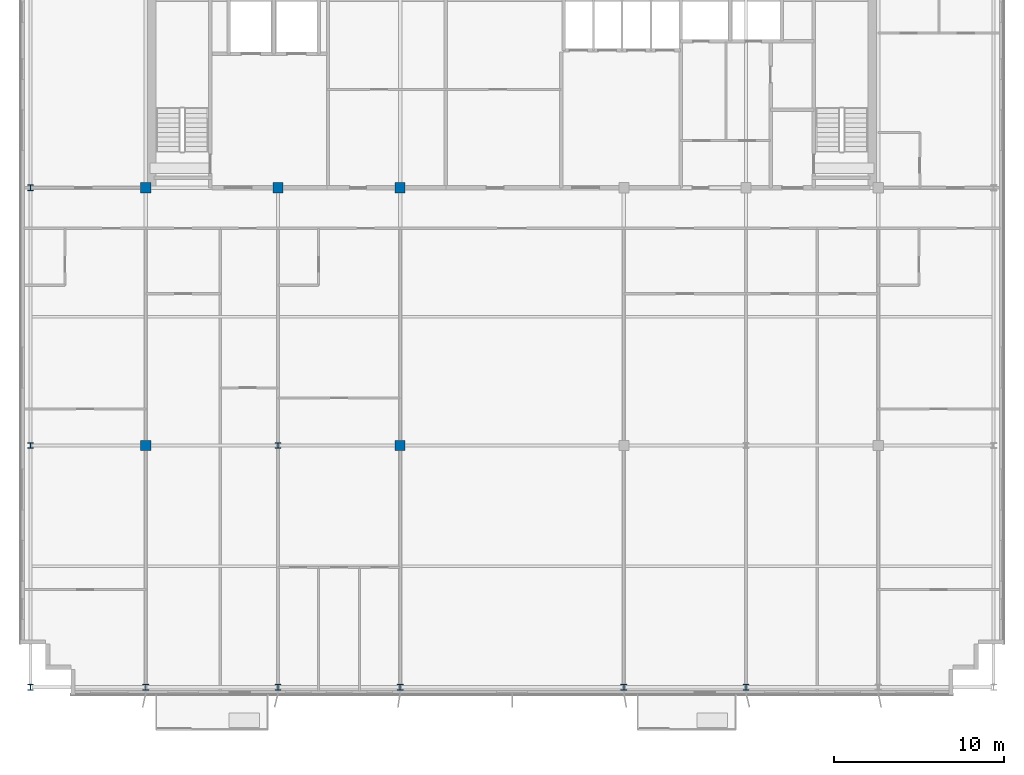
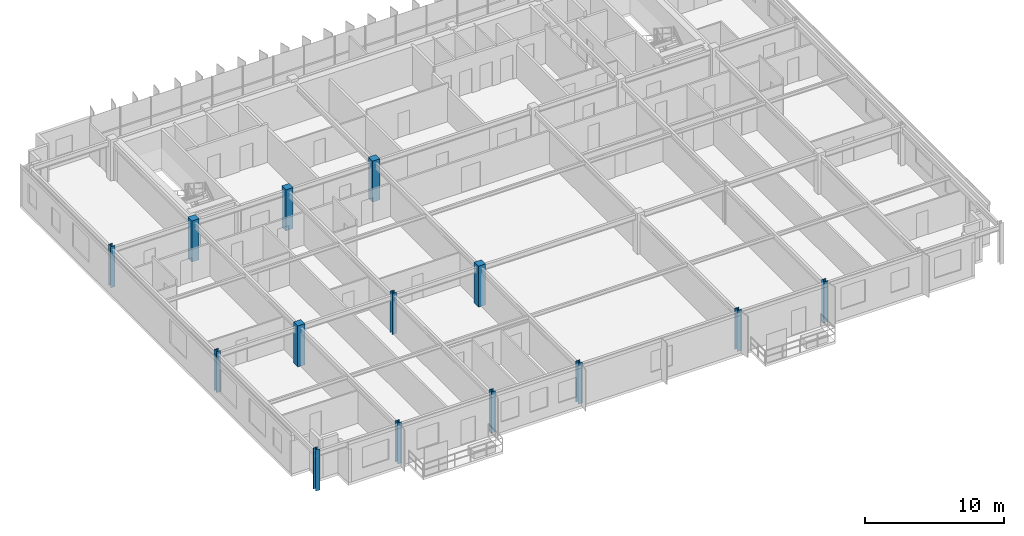
# One storey, part 1 of 22: 14 columns.
"""IFC4 building model written with IfcOpenShell, lengths in metres."""

from ifc_helpers import new_model, si_unit, direction, frame, origin, origin_2d, place, context, subcontext, project, spatial, rectangle, i_section, extrude, source, transform, mapped, material, material_profile, profile_set, type_object, element, save


model = new_model("IFC4")

# Units and contexts
model_context = context("Model", 3, precision=1e-05, world=origin(), true_north=direction((0.0, 1.0)))
body_context = subcontext(model_context, "Body", "Model", "MODEL_VIEW")
ifc_project = project(units=[si_unit("LENGTHUNIT", "METRE"), si_unit("AREAUNIT", "SQUARE_METRE"), si_unit("VOLUMEUNIT", "CUBIC_METRE"), si_unit("PLANEANGLEUNIT", "RADIAN"), si_unit("MASSUNIT", "GRAM", prefix="KILO")], contexts=[model_context])

# Site, building, storey
site_placement = place(None, origin())
site = spatial("IfcSite", under=ifc_project, at=site_placement, CompositionType="ELEMENT")
building_placement = place(site_placement, origin())
building = spatial("IfcBuilding", under=site, at=building_placement, Name="Trelvane Seafront Commons", CompositionType="ELEMENT")
storey_placement = place(building_placement, frame((0.0, 0.0, 273.89990234375)))
storey = spatial("IfcBuildingStorey", under=building, at=storey_placement, Name="L71", CompositionType="ELEMENT", Elevation=273.89990234375)

# Columns
ifc_material_1 = material(Name="Steel SM355 (S355)", Category="steel")
ifc_material_profile_1 = material_profile(ifc_material_1, i_section(OverallWidth=0.35009765625, OverallDepth=0.35009765625, WebThickness=0.01806640625, FlangeThickness=0.028076171875, at=origin_2d()), Name="HD-350x350x18x28")
ifc_profile_set_1 = profile_set([ifc_material_profile_1], Name="Steel SM355 (S355)")
column_type_1 = type_object("IfcColumnType", Name="STR-COL-HD350", PredefinedType="COLUMN", material=ifc_profile_set_1)
shared_shape_1 = source(origin(), body_context, "Body", "SweptSolid", [
    extrude(i_section(OverallWidth=0.35009765625, OverallDepth=0.35009765625, WebThickness=0.01806640625, FlangeThickness=0.028076171875, at=origin_2d()), origin(), (0.0, 0.0, 1.0), 3.60009765625),
])
for number, where, z_axis, x_axis, name in (
    (1, (8.800048828125, 3.949951171875, 0.0), (0.0, 0.0, 1.0), (1.0, 0.0, 0.0), "L71 Column TC-S8.8"),
    (2, (8.800048828125, 18.199951171875, 0.0), (0.0, 0.0, 1.0), (1.0, 0.0, 0.0), "L71 Column TC-M8.8"),
    (3, (8.800048828125, 33.39990234375, 0.0), (0.0, 0.0, 1.0), (1.0, 0.0, 0.0), "L71 Column TC-CS8.8"),
    (4, (15.60009765625, 3.949951171875, 0.0), (0.0, 0.0, 1.0), (1.0, 0.0, 0.0), "L71 Column TC-S15.6"),
    (5, (23.39990234375, 3.949951171875, 0.0), (0.0, 0.0, 1.0), (1.0, 0.0, 0.0), "L71 Column TC-S23.4"),
    (6, (23.39990234375, 18.199951171875, 0.0), (0.0, 0.0, 1.0), (1.0, 0.0, 0.0), "L71 Column TC-M23.4"),
    (7, (30.60009765625, 3.949951171875, 0.0), (0.0, 0.0, 1.0), (1.0, 0.0, 0.0), "L71 Column TC-S30.6"),
    (8, (43.800048828125, 3.949951171875, 0.0), (0.0, 0.0, 1.0), (1.0, 0.0, 0.0), "L71 Column TC-S43.8"),
    (9, (51.0, 3.949951171875, 0.0), (0.0, 0.0, 1.0), (1.0, 0.0, 0.0), "L71 Column TC-S51.0"),
):
    element("IfcColumn", number, at=place(storey_placement, frame(where, z_axis=z_axis, x_axis=x_axis)), inside=storey, type_object=column_type_1, Name=name, PredefinedType="COLUMN", context=body_context, shape_type="MappedRepresentation", body=[
        mapped(shared_shape_1, transform((0.0, 0.0, 0.0), x_axis=(1.0, 0.0, 0.0), y_axis=(0.0, 1.0, 0.0), z_axis=(0.0, 0.0, 1.0), scale=1.0)),
    ])
ifc_material_2 = material(Name="Concrete C50/60", Category="concrete")
ifc_material_profile_2 = material_profile(ifc_material_2, rectangle(XDim=0.60009765625, YDim=0.60009765625, at=origin_2d()), Name="RC-600x600")
ifc_profile_set_2 = profile_set([ifc_material_profile_2], Name="Concrete C50/60")
column_type_2 = type_object("IfcColumnType", Name="STR-COL-RC600", PredefinedType="COLUMN", material=ifc_profile_set_2)
shared_shape_2 = source(origin(), body_context, "Body", "SweptSolid", [
    extrude(rectangle(XDim=0.60009765625, YDim=0.60009765625, at=origin_2d()), origin(), (0.0, 0.0, 1.0), 3.60009765625),
])
for number, where, z_axis, x_axis, name in (
    (10, (15.60009765625, 18.199951171875, 0.0), (0.0, 0.0, 1.0), (1.0, 0.0, 0.0), "L71 Column TC-M15.6"),
    (11, (15.60009765625, 33.39990234375, 0.0), (0.0, 0.0, 1.0), (1.0, 0.0, 0.0), "L71 Column TC-CS15.6"),
    (12, (23.39990234375, 33.39990234375, 0.0), (0.0, 0.0, 1.0), (1.0, 0.0, 0.0), "L71 Column TC-CS23.4"),
    (13, (30.60009765625, 18.199951171875, 0.0), (0.0, 0.0, 1.0), (1.0, 0.0, 0.0), "L71 Column TC-M30.6"),
    (14, (30.60009765625, 33.39990234375, 0.0), (0.0, 0.0, 1.0), (1.0, 0.0, 0.0), "L71 Column TC-CS30.6"),
):
    element("IfcColumn", number, at=place(storey_placement, frame(where, z_axis=z_axis, x_axis=x_axis)), inside=storey, type_object=column_type_2, Name=name, PredefinedType="COLUMN", context=body_context, shape_type="MappedRepresentation", body=[
        mapped(shared_shape_2, transform((0.0, 0.0, 0.0), x_axis=(1.0, 0.0, 0.0), y_axis=(0.0, 1.0, 0.0), z_axis=(0.0, 0.0, 1.0), scale=1.0)),
    ])

save(model, "model.ifc")
